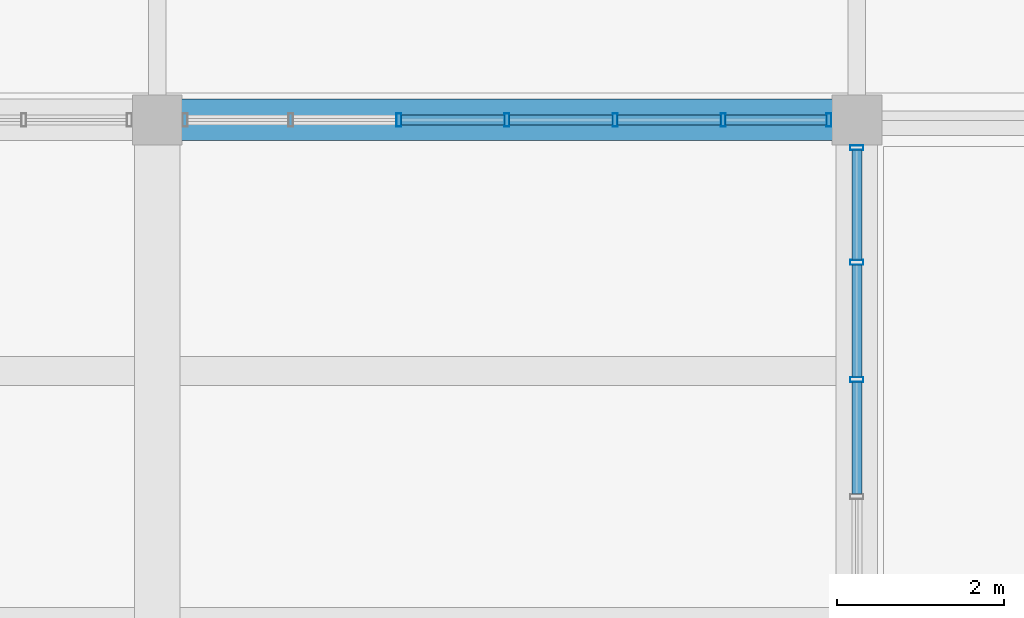
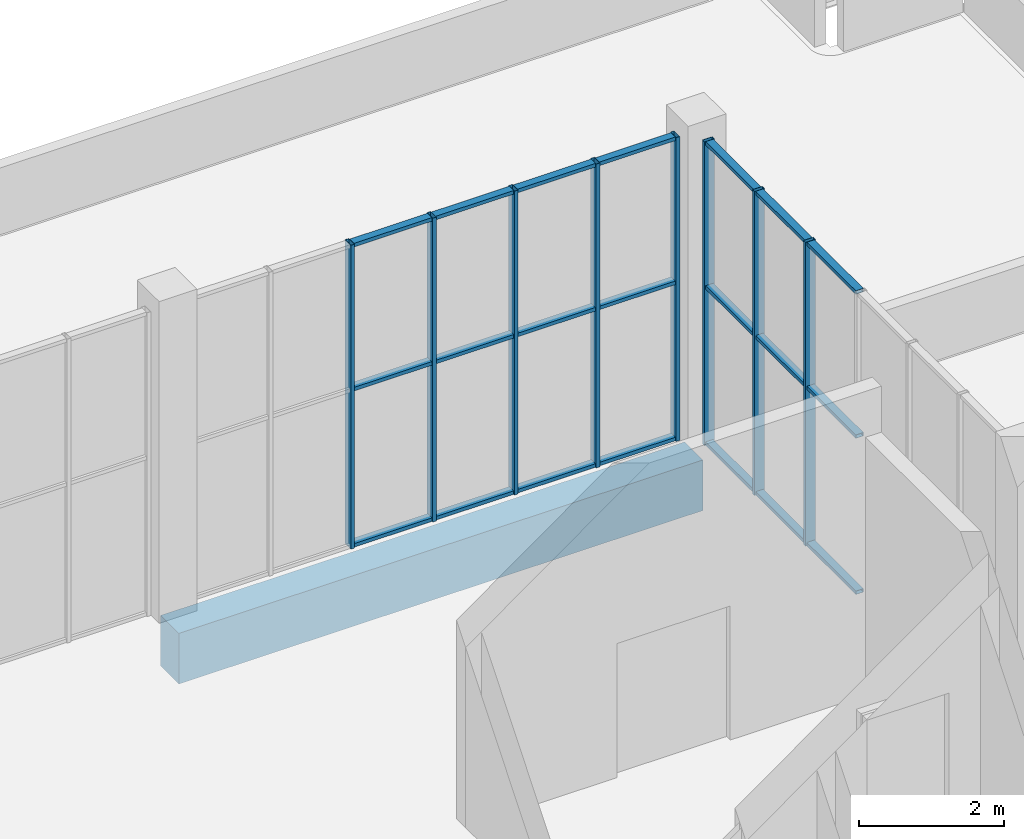
# One storey, part 92 of 132: 29 members, 1 beam, 2 elements without a shape of their own.
"""IFC4 building model written with IfcOpenShell, lengths in metres."""

from ifc_helpers import new_model, si_unit, direction, frame, origin, origin_2d, place, context, subcontext, project, spatial, rectangle, hollow_rectangle, extrude, material, material_profile, profile_set, type_object, element, aggregate, save


model = new_model("IFC4")

# Units and contexts
model_context = context("Model", 3, precision=1e-05, world=origin(), true_north=direction((0.0, 1.0)))
body_context = subcontext(model_context, "Body", "Model", "MODEL_VIEW")
ifc_project = project(units=[si_unit("LENGTHUNIT", "METRE"), si_unit("AREAUNIT", "SQUARE_METRE"), si_unit("VOLUMEUNIT", "CUBIC_METRE"), si_unit("PLANEANGLEUNIT", "RADIAN"), si_unit("MASSUNIT", "GRAM", prefix="KILO")], contexts=[model_context])

# Site, building, storey
site_placement = place(None, origin())
site = spatial("IfcSite", under=ifc_project, at=site_placement, CompositionType="ELEMENT")
building_placement = place(site_placement, origin())
building = spatial("IfcBuilding", under=site, at=building_placement, Name="Khurvash Pelagic Aquarium", CompositionType="ELEMENT")
storey_placement = place(building_placement, frame((0.0, 0.0, 5.39990234375)))
storey = spatial("IfcBuildingStorey", under=building, at=storey_placement, Name="L01", CompositionType="ELEMENT", Elevation=5.39990234375)

# Curtain wall, members
ifc_material_1 = material(Name="Anodised aluminium and low-E laminated glass", Category="aluminium")
curtain_wall_type_1 = type_object("IfcCurtainWallType", Name="CW-06", PredefinedType="USERDEFINED", material=ifc_material_1)
curtain_wall_1_placement = place(storey_placement, origin())
curtain_wall_1 = element("IfcCurtainWall", 1, at=curtain_wall_1_placement, inside=storey, type_object=curtain_wall_type_1, Name="L01 Facade Unitised Curtain Wall CW-06 0113", ObjectType="UNITISED CURTAIN WALL", PredefinedType="USERDEFINED")
ifc_material_2 = material(Name="Extruded aluminium AW-6063-T6", Category="aluminium")
ifc_material_profile_1 = material_profile(ifc_material_2, hollow_rectangle(XDim=0.06005859375, YDim=0.159912109375, WallThickness=0.00390625, at=origin_2d()), Name="CWM60X160X4")
ifc_profile_set_1 = profile_set([ifc_material_profile_1], Name="Extruded aluminium AW-6063-T6")
member_type_1 = type_object("IfcMemberType", Name="CM-02", PredefinedType="MULLION", material=ifc_profile_set_1)
member_1_placement = place(storey_placement, frame((117.60009765625, 99.03173828125, 0.0), z_axis=(0.0, 0.0, 1.0), x_axis=(0.0, 1.0, 0.0)))
member_1 = element("IfcMember", 2, at=member_1_placement, type_object=member_type_1, Name="CW-06 mullion 5", PredefinedType="MULLION", context=body_context, shape_type="SweptSolid", body=[
    extrude(hollow_rectangle(XDim=0.06005859375, YDim=0.159912109375, WallThickness=0.00390625, at=origin_2d()), origin(), (0.0, 0.0, 1.0), 5.10009765625),
])
member_2_placement = place(storey_placement, frame((117.60009765625, 100.438232421875, 0.0), z_axis=(0.0, 0.0, 1.0), x_axis=(0.0, 1.0, 0.0)))
member_2 = element("IfcMember", 3, at=member_2_placement, type_object=member_type_1, Name="CW-06 mullion 6", PredefinedType="MULLION", context=body_context, shape_type="SweptSolid", body=[
    extrude(hollow_rectangle(XDim=0.06005859375, YDim=0.159912109375, WallThickness=0.00390625, at=origin_2d()), origin(), (0.0, 0.0, 1.0), 5.10009765625),
])
member_3_placement = place(storey_placement, frame((117.60009765625, 101.81494140625, 0.0), z_axis=(0.0, 0.0, 1.0), x_axis=(0.0, 1.0, 0.0)))
member_3 = element("IfcMember", 4, at=member_3_placement, type_object=member_type_1, Name="CW-06 mullion 7", PredefinedType="MULLION", context=body_context, shape_type="SweptSolid", body=[
    extrude(hollow_rectangle(XDim=0.06005859375, YDim=0.159912109375, WallThickness=0.00390625, at=origin_2d()), origin(), (0.0, 0.0, 1.0), 5.10009765625),
])

curtain_wall_type_2 = type_object("IfcCurtainWallType", Name="CW-05", PredefinedType="USERDEFINED", material=ifc_material_1)
curtain_wall_2_placement = place(storey_placement, origin())
curtain_wall_2 = element("IfcCurtainWall", 5, at=curtain_wall_2_placement, inside=storey, type_object=curtain_wall_type_2, Name="L01 Facade Unitised Curtain Wall CW-05 0114", ObjectType="UNITISED CURTAIN WALL", PredefinedType="USERDEFINED")
member_4_placement = place(storey_placement, frame((117.264892578125, 102.14990234375, 0.0), z_axis=(0.0, 0.0, 1.0), x_axis=(-1.0, 0.0, 0.0)))
member_4 = element("IfcMember", 6, at=member_4_placement, type_object=member_type_1, Name="CW-05 mullion 1", PredefinedType="MULLION", context=body_context, shape_type="SweptSolid", body=[
    extrude(hollow_rectangle(XDim=0.06005859375, YDim=0.159912109375, WallThickness=0.00390625, at=origin_2d()), origin(), (0.0, 0.0, 1.0), 5.10009765625),
])
member_5_placement = place(storey_placement, frame((115.99658203125, 102.14990234375, 0.0), z_axis=(0.0, 0.0, 1.0), x_axis=(-1.0, 0.0, 0.0)))
member_5 = element("IfcMember", 7, at=member_5_placement, type_object=member_type_1, Name="CW-05 mullion 2", PredefinedType="MULLION", context=body_context, shape_type="SweptSolid", body=[
    extrude(hollow_rectangle(XDim=0.06005859375, YDim=0.159912109375, WallThickness=0.00390625, at=origin_2d()), origin(), (0.0, 0.0, 1.0), 5.10009765625),
])
member_6_placement = place(storey_placement, frame((114.6982421875, 102.14990234375, 0.0), z_axis=(0.0, 0.0, 1.0), x_axis=(-1.0, 0.0, 0.0)))
member_6 = element("IfcMember", 8, at=member_6_placement, type_object=member_type_1, Name="CW-05 mullion 3", PredefinedType="MULLION", context=body_context, shape_type="SweptSolid", body=[
    extrude(hollow_rectangle(XDim=0.06005859375, YDim=0.159912109375, WallThickness=0.00390625, at=origin_2d()), origin(), (0.0, 0.0, 1.0), 5.10009765625),
])
member_7_placement = place(storey_placement, frame((113.39990234375, 102.14990234375, 0.0), z_axis=(0.0, 0.0, 1.0), x_axis=(-1.0, 0.0, 0.0)))
member_7 = element("IfcMember", 9, at=member_7_placement, type_object=member_type_1, Name="CW-05 mullion 4", PredefinedType="MULLION", context=body_context, shape_type="SweptSolid", body=[
    extrude(hollow_rectangle(XDim=0.06005859375, YDim=0.159912109375, WallThickness=0.00390625, at=origin_2d()), origin(), (0.0, 0.0, 1.0), 5.10009765625),
])
member_8_placement = place(storey_placement, frame((112.1015625, 102.14990234375, 0.0), z_axis=(0.0, 0.0, 1.0), x_axis=(-1.0, 0.0, 0.0)))
member_8 = element("IfcMember", 10, at=member_8_placement, type_object=member_type_1, Name="CW-05 mullion 5", PredefinedType="MULLION", context=body_context, shape_type="SweptSolid", body=[
    extrude(hollow_rectangle(XDim=0.06005859375, YDim=0.159912109375, WallThickness=0.00390625, at=origin_2d()), origin(), (0.0, 0.0, 1.0), 5.10009765625),
])

# Member
ifc_material_profile_2 = material_profile(ifc_material_2, hollow_rectangle(XDim=0.1201171875, YDim=0.06005859375, WallThickness=0.00390625, at=origin_2d()), Name="CWT120X60X4")
ifc_profile_set_2 = profile_set([ifc_material_profile_2], Name="Extruded aluminium AW-6063-T6")
member_type_2 = type_object("IfcMemberType", Name="CT-02", PredefinedType="USERDEFINED", material=ifc_profile_set_2)
member_9_placement = place(storey_placement, frame((117.60009765625, 97.655029296875, 0.030029296875), z_axis=(0.0, 1.0, 0.0), x_axis=(-1.0, 0.0, 0.0)))
member_9 = element("IfcMember", 11, at=member_9_placement, type_object=member_type_2, Name="CW-06 transom 4.1", ObjectType="TRANSOM", PredefinedType="USERDEFINED", context=body_context, shape_type="SweptSolid", body=[
    extrude(hollow_rectangle(XDim=0.1201171875, YDim=0.06005859375, WallThickness=0.00390625, at=origin_2d()), origin(), (0.0, 0.0, 1.0), 1.3466796875),
])

member_10_placement = place(storey_placement, frame((117.60009765625, 97.655029296875, 2.652099609375), z_axis=(0.0, 1.0, 0.0), x_axis=(-1.0, 0.0, 0.0)))
member_10 = element("IfcMember", 12, at=member_10_placement, type_object=member_type_2, Name="CW-06 transom 4.2", ObjectType="TRANSOM", PredefinedType="USERDEFINED", context=body_context, shape_type="SweptSolid", body=[
    extrude(hollow_rectangle(XDim=0.1201171875, YDim=0.06005859375, WallThickness=0.00390625, at=origin_2d()), origin(), (0.0, 0.0, 1.0), 1.3466796875),
])

member_11_placement = place(storey_placement, frame((117.60009765625, 97.655029296875, 5.070068359375), z_axis=(0.0, 1.0, 0.0), x_axis=(-1.0, 0.0, 0.0)))
member_11 = element("IfcMember", 13, at=member_11_placement, type_object=member_type_2, Name="CW-06 transom 4.3", ObjectType="TRANSOM", PredefinedType="USERDEFINED", context=body_context, shape_type="SweptSolid", body=[
    extrude(hollow_rectangle(XDim=0.1201171875, YDim=0.06005859375, WallThickness=0.00390625, at=origin_2d()), origin(), (0.0, 0.0, 1.0), 1.3466796875),
])

member_12_placement = place(storey_placement, frame((117.60009765625, 99.061767578125, 0.030029296875), z_axis=(0.0, 1.0, 0.0), x_axis=(-1.0, 0.0, 0.0)))
member_12 = element("IfcMember", 14, at=member_12_placement, type_object=member_type_2, Name="CW-06 transom 5.1", ObjectType="TRANSOM", PredefinedType="USERDEFINED", context=body_context, shape_type="SweptSolid", body=[
    extrude(hollow_rectangle(XDim=0.1201171875, YDim=0.06005859375, WallThickness=0.00390625, at=origin_2d()), origin(), (0.0, 0.0, 1.0), 1.3466796875),
])

member_13_placement = place(storey_placement, frame((117.60009765625, 99.061767578125, 2.652099609375), z_axis=(0.0, 1.0, 0.0), x_axis=(-1.0, 0.0, 0.0)))
member_13 = element("IfcMember", 15, at=member_13_placement, type_object=member_type_2, Name="CW-06 transom 5.2", ObjectType="TRANSOM", PredefinedType="USERDEFINED", context=body_context, shape_type="SweptSolid", body=[
    extrude(hollow_rectangle(XDim=0.1201171875, YDim=0.06005859375, WallThickness=0.00390625, at=origin_2d()), origin(), (0.0, 0.0, 1.0), 1.3466796875),
])

member_14_placement = place(storey_placement, frame((117.60009765625, 99.061767578125, 5.070068359375), z_axis=(0.0, 1.0, 0.0), x_axis=(-1.0, 0.0, 0.0)))
member_14 = element("IfcMember", 16, at=member_14_placement, type_object=member_type_2, Name="CW-06 transom 5.3", ObjectType="TRANSOM", PredefinedType="USERDEFINED", context=body_context, shape_type="SweptSolid", body=[
    extrude(hollow_rectangle(XDim=0.1201171875, YDim=0.06005859375, WallThickness=0.00390625, at=origin_2d()), origin(), (0.0, 0.0, 1.0), 1.3466796875),
])

member_15_placement = place(storey_placement, frame((117.60009765625, 100.46826171875, 0.030029296875), z_axis=(0.0, 1.0, 0.0), x_axis=(-1.0, 0.0, 0.0)))
member_15 = element("IfcMember", 17, at=member_15_placement, type_object=member_type_2, Name="CW-06 transom 6.1", ObjectType="TRANSOM", PredefinedType="USERDEFINED", context=body_context, shape_type="SweptSolid", body=[
    extrude(hollow_rectangle(XDim=0.1201171875, YDim=0.06005859375, WallThickness=0.00390625, at=origin_2d()), origin(), (0.0, 0.0, 1.0), 1.316650390625),
])

member_16_placement = place(storey_placement, frame((117.60009765625, 100.46826171875, 2.652099609375), z_axis=(0.0, 1.0, 0.0), x_axis=(-1.0, 0.0, 0.0)))
member_16 = element("IfcMember", 18, at=member_16_placement, type_object=member_type_2, Name="CW-06 transom 6.2", ObjectType="TRANSOM", PredefinedType="USERDEFINED", context=body_context, shape_type="SweptSolid", body=[
    extrude(hollow_rectangle(XDim=0.1201171875, YDim=0.06005859375, WallThickness=0.00390625, at=origin_2d()), origin(), (0.0, 0.0, 1.0), 1.316650390625),
])

member_17_placement = place(storey_placement, frame((117.60009765625, 100.46826171875, 5.070068359375), z_axis=(0.0, 1.0, 0.0), x_axis=(-1.0, 0.0, 0.0)))
member_17 = element("IfcMember", 19, at=member_17_placement, type_object=member_type_2, Name="CW-06 transom 6.3", ObjectType="TRANSOM", PredefinedType="USERDEFINED", context=body_context, shape_type="SweptSolid", body=[
    extrude(hollow_rectangle(XDim=0.1201171875, YDim=0.06005859375, WallThickness=0.00390625, at=origin_2d()), origin(), (0.0, 0.0, 1.0), 1.316650390625),
])

aggregate(curtain_wall_1, [member_1, member_2, member_3, member_9, member_10, member_11, member_12, member_13, member_14, member_15, member_16, member_17])

member_18_placement = place(storey_placement, frame((117.235107421875, 102.14990234375, 0.030029296875), z_axis=(-1.0, 0.0, 0.0), x_axis=(0.0, -1.0, 0.0)))
member_18 = element("IfcMember", 20, at=member_18_placement, type_object=member_type_2, Name="CW-05 transom 1.1", ObjectType="TRANSOM", PredefinedType="USERDEFINED", context=body_context, shape_type="SweptSolid", body=[
    extrude(hollow_rectangle(XDim=0.1201171875, YDim=0.06005859375, WallThickness=0.00390625, at=origin_2d()), origin(), (0.0, 0.0, 1.0), 1.20849609375),
])

member_19_placement = place(storey_placement, frame((117.235107421875, 102.14990234375, 2.652099609375), z_axis=(-1.0, 0.0, 0.0), x_axis=(0.0, -1.0, 0.0)))
member_19 = element("IfcMember", 21, at=member_19_placement, type_object=member_type_2, Name="CW-05 transom 1.2", ObjectType="TRANSOM", PredefinedType="USERDEFINED", context=body_context, shape_type="SweptSolid", body=[
    extrude(hollow_rectangle(XDim=0.1201171875, YDim=0.06005859375, WallThickness=0.00390625, at=origin_2d()), origin(), (0.0, 0.0, 1.0), 1.20849609375),
])

member_20_placement = place(storey_placement, frame((117.235107421875, 102.14990234375, 5.070068359375), z_axis=(-1.0, 0.0, 0.0), x_axis=(0.0, -1.0, 0.0)))
member_20 = element("IfcMember", 22, at=member_20_placement, type_object=member_type_2, Name="CW-05 transom 1.3", ObjectType="TRANSOM", PredefinedType="USERDEFINED", context=body_context, shape_type="SweptSolid", body=[
    extrude(hollow_rectangle(XDim=0.1201171875, YDim=0.06005859375, WallThickness=0.00390625, at=origin_2d()), origin(), (0.0, 0.0, 1.0), 1.20849609375),
])

member_21_placement = place(storey_placement, frame((115.966552734375, 102.14990234375, 0.030029296875), z_axis=(-1.0, 0.0, 0.0), x_axis=(0.0, -1.0, 0.0)))
member_21 = element("IfcMember", 23, at=member_21_placement, type_object=member_type_2, Name="CW-05 transom 2.1", ObjectType="TRANSOM", PredefinedType="USERDEFINED", context=body_context, shape_type="SweptSolid", body=[
    extrude(hollow_rectangle(XDim=0.1201171875, YDim=0.06005859375, WallThickness=0.00390625, at=origin_2d()), origin(), (0.0, 0.0, 1.0), 1.23828125),
])

member_22_placement = place(storey_placement, frame((115.966552734375, 102.14990234375, 2.652099609375), z_axis=(-1.0, 0.0, 0.0), x_axis=(0.0, -1.0, 0.0)))
member_22 = element("IfcMember", 24, at=member_22_placement, type_object=member_type_2, Name="CW-05 transom 2.2", ObjectType="TRANSOM", PredefinedType="USERDEFINED", context=body_context, shape_type="SweptSolid", body=[
    extrude(hollow_rectangle(XDim=0.1201171875, YDim=0.06005859375, WallThickness=0.00390625, at=origin_2d()), origin(), (0.0, 0.0, 1.0), 1.23828125),
])

member_23_placement = place(storey_placement, frame((115.966552734375, 102.14990234375, 5.070068359375), z_axis=(-1.0, 0.0, 0.0), x_axis=(0.0, -1.0, 0.0)))
member_23 = element("IfcMember", 25, at=member_23_placement, type_object=member_type_2, Name="CW-05 transom 2.3", ObjectType="TRANSOM", PredefinedType="USERDEFINED", context=body_context, shape_type="SweptSolid", body=[
    extrude(hollow_rectangle(XDim=0.1201171875, YDim=0.06005859375, WallThickness=0.00390625, at=origin_2d()), origin(), (0.0, 0.0, 1.0), 1.23828125),
])

member_24_placement = place(storey_placement, frame((114.668212890625, 102.14990234375, 0.030029296875), z_axis=(-1.0, 0.0, 0.0), x_axis=(0.0, -1.0, 0.0)))
member_24 = element("IfcMember", 26, at=member_24_placement, type_object=member_type_2, Name="CW-05 transom 3.1", ObjectType="TRANSOM", PredefinedType="USERDEFINED", context=body_context, shape_type="SweptSolid", body=[
    extrude(hollow_rectangle(XDim=0.1201171875, YDim=0.06005859375, WallThickness=0.00390625, at=origin_2d()), origin(), (0.0, 0.0, 1.0), 1.23828125),
])

member_25_placement = place(storey_placement, frame((114.668212890625, 102.14990234375, 2.652099609375), z_axis=(-1.0, 0.0, 0.0), x_axis=(0.0, -1.0, 0.0)))
member_25 = element("IfcMember", 27, at=member_25_placement, type_object=member_type_2, Name="CW-05 transom 3.2", ObjectType="TRANSOM", PredefinedType="USERDEFINED", context=body_context, shape_type="SweptSolid", body=[
    extrude(hollow_rectangle(XDim=0.1201171875, YDim=0.06005859375, WallThickness=0.00390625, at=origin_2d()), origin(), (0.0, 0.0, 1.0), 1.23828125),
])

member_26_placement = place(storey_placement, frame((114.668212890625, 102.14990234375, 5.070068359375), z_axis=(-1.0, 0.0, 0.0), x_axis=(0.0, -1.0, 0.0)))
member_26 = element("IfcMember", 28, at=member_26_placement, type_object=member_type_2, Name="CW-05 transom 3.3", ObjectType="TRANSOM", PredefinedType="USERDEFINED", context=body_context, shape_type="SweptSolid", body=[
    extrude(hollow_rectangle(XDim=0.1201171875, YDim=0.06005859375, WallThickness=0.00390625, at=origin_2d()), origin(), (0.0, 0.0, 1.0), 1.23828125),
])

member_27_placement = place(storey_placement, frame((113.3701171875, 102.14990234375, 0.030029296875), z_axis=(-1.0, 0.0, 0.0), x_axis=(0.0, -1.0, 0.0)))
member_27 = element("IfcMember", 29, at=member_27_placement, type_object=member_type_2, Name="CW-05 transom 4.1", ObjectType="TRANSOM", PredefinedType="USERDEFINED", context=body_context, shape_type="SweptSolid", body=[
    extrude(hollow_rectangle(XDim=0.1201171875, YDim=0.06005859375, WallThickness=0.00390625, at=origin_2d()), origin(), (0.0, 0.0, 1.0), 1.238525390625),
])

member_28_placement = place(storey_placement, frame((113.3701171875, 102.14990234375, 2.652099609375), z_axis=(-1.0, 0.0, 0.0), x_axis=(0.0, -1.0, 0.0)))
member_28 = element("IfcMember", 30, at=member_28_placement, type_object=member_type_2, Name="CW-05 transom 4.2", ObjectType="TRANSOM", PredefinedType="USERDEFINED", context=body_context, shape_type="SweptSolid", body=[
    extrude(hollow_rectangle(XDim=0.1201171875, YDim=0.06005859375, WallThickness=0.00390625, at=origin_2d()), origin(), (0.0, 0.0, 1.0), 1.238525390625),
])

member_29_placement = place(storey_placement, frame((113.3701171875, 102.14990234375, 5.070068359375), z_axis=(-1.0, 0.0, 0.0), x_axis=(0.0, -1.0, 0.0)))
member_29 = element("IfcMember", 31, at=member_29_placement, type_object=member_type_2, Name="CW-05 transom 4.3", ObjectType="TRANSOM", PredefinedType="USERDEFINED", context=body_context, shape_type="SweptSolid", body=[
    extrude(hollow_rectangle(XDim=0.1201171875, YDim=0.06005859375, WallThickness=0.00390625, at=origin_2d()), origin(), (0.0, 0.0, 1.0), 1.238525390625),
])

aggregate(curtain_wall_2, [member_4, member_5, member_6, member_7, member_8, member_18, member_19, member_20, member_21, member_22, member_23, member_24, member_25, member_26, member_27, member_28, member_29])

# Beam
ifc_material_3 = material(Name="Concrete C40/50", Category="concrete")
ifc_material_profile_3 = material_profile(ifc_material_3, rectangle(XDim=0.5, YDim=0.85009765625, at=origin_2d()), Name="RC500X850")
ifc_profile_set_3 = profile_set([ifc_material_profile_3], Name="Concrete C40/50")
beam_type = type_object("IfcBeamType", Name="SEB-03", PredefinedType="SPANDREL", material=ifc_profile_set_3)
beam_placement = place(storey_placement, frame((109.239990234375, 102.14990234375, -0.744873046875), z_axis=(1.0, 0.0, 0.0), x_axis=(0.0, 1.0, 0.0)))
element("IfcBeam", 32, at=beam_placement, inside=storey, type_object=beam_type, Name="L01 Primary Girder SEB-03 00346", PredefinedType="SPANDREL", context=body_context, shape_type="SweptSolid", body=[
    extrude(rectangle(XDim=0.5, YDim=0.85009765625, at=origin_2d()), origin(), (0.0, 0.0, 1.0), 8.320068359375),
])

save(model, "model.ifc")
